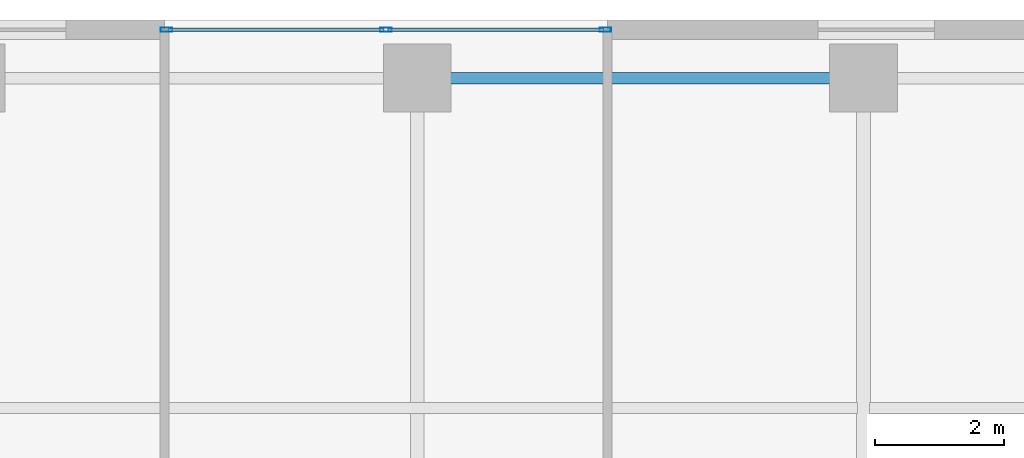
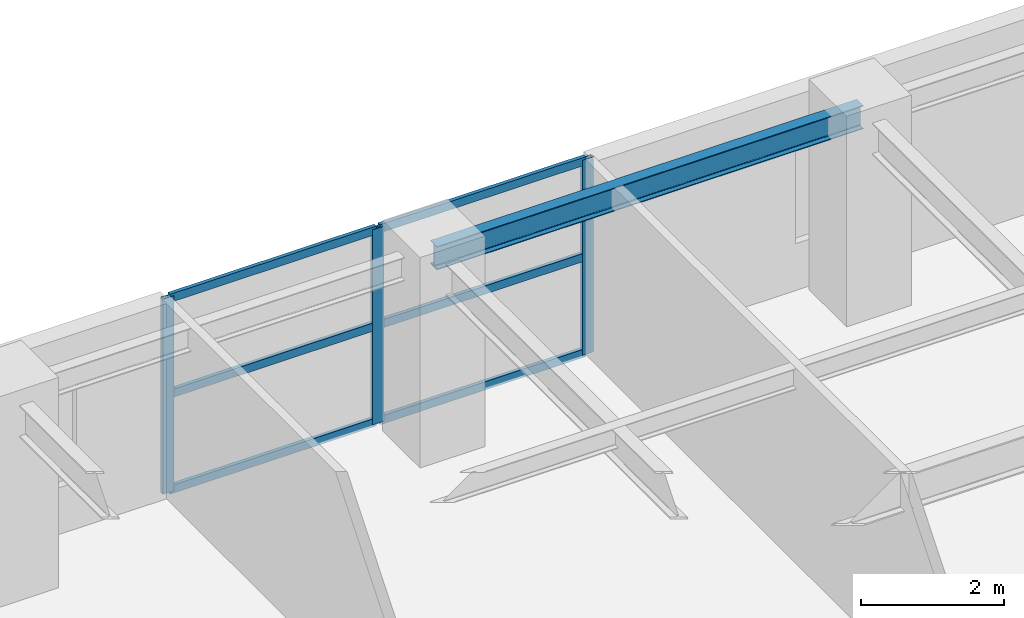
# One storey, part 12 of 18: 9 members, 1 beam, 1 element without a shape of its own.
"""IFC4 building model written with IfcOpenShell, lengths in metres."""

from ifc_helpers import new_model, si_unit, direction, frame, origin, origin_2d, place, context, subcontext, project, spatial, hollow_rectangle, i_section, extrude, source, transform, mapped, material, layer, layer_set, material_profile, profile_set, type_object, element, aggregate, save


model = new_model("IFC4")

# Units and contexts
model_context = context("Model", 3, precision=1e-05, world=origin(), true_north=direction((0.0, 1.0)))
body_context = subcontext(model_context, "Body", "Model", "MODEL_VIEW")
ifc_project = project(units=[si_unit("LENGTHUNIT", "METRE"), si_unit("AREAUNIT", "SQUARE_METRE"), si_unit("VOLUMEUNIT", "CUBIC_METRE"), si_unit("PLANEANGLEUNIT", "RADIAN"), si_unit("MASSUNIT", "GRAM", prefix="KILO")], contexts=[model_context])

# Site, building, storey
site_placement = place(None, origin())
site = spatial("IfcSite", under=ifc_project, at=site_placement, CompositionType="ELEMENT")
building_placement = place(site_placement, origin())
building = spatial("IfcBuilding", under=site, at=building_placement, Name="Khoralis Quay Care Tower", CompositionType="ELEMENT")
storey_placement = place(building_placement, frame((0.0, 0.0, 130.5)))
storey = spatial("IfcBuildingStorey", under=building, at=storey_placement, Name="L34", CompositionType="ELEMENT", Elevation=130.5)

# Beam
ifc_material_1 = material(Name="Steel S355", Category="steel")
ifc_material_profile_1 = material_profile(ifc_material_1, i_section(OverallWidth=0.179931640625, OverallDepth=0.39990234375, WebThickness=0.008544921875, FlangeThickness=0.013427734375, FilletRadius=0.02099609375, at=origin_2d()), Name="Steel S355")
ifc_profile_set_1 = profile_set([ifc_material_profile_1], Name="Steel S355")
beam_type = type_object("IfcBeamType", Name="BM-IPE400", PredefinedType="SPANDREL", material=ifc_profile_set_1)
shared_shape_1 = source(origin(), body_context, "Body", "SweptSolid", [
    extrude(i_section(OverallWidth=0.179931640625, OverallDepth=0.39990234375, WebThickness=0.008544921875, FlangeThickness=0.013427734375, FilletRadius=0.02099609375, at=origin_2d()), origin(), (0.0, 0.0, 1.0), 6.89990234375),
])
beam_placement = place(storey_placement, frame((24.0, 44.10009765625, 3.139892578125), z_axis=(1.0, 0.0, 0.0), x_axis=(0.0, 1.0, 0.0)))
element("IfcBeam", 1, at=beam_placement, inside=storey, type_object=beam_type, Name="BM-TSP-L34-09", PredefinedType="SPANDREL", context=body_context, shape_type="MappedRepresentation", body=[
    mapped(shared_shape_1, transform((0.0, 0.0, 0.0), scale=1.0)),
])

# Curtain wall, members
ifc_material_2 = material(Name="Pale anodised aluminium", Category="aluminium")
ifc_layer = layer(ifc_material_2, 0.169921875)
ifc_layer_set = layer_set([ifc_layer], Name="Pale anodised aluminium")
curtain_wall_type = type_object("IfcCurtainWallType", Name="CW-SYS-Z2", PredefinedType="NOTDEFINED", material=ifc_layer_set)
curtain_wall_placement = place(storey_placement, origin())
curtain_wall = element("IfcCurtainWall", 2, at=curtain_wall_placement, inside=storey, type_object=curtain_wall_type, Name="L34 Unitised Curtain Wall CW-L34-P1-E10", PredefinedType="NOTDEFINED")
ifc_material_profile_2 = material_profile(ifc_material_2, hollow_rectangle(XDim=0.06494140625, YDim=0.179931640625, WallThickness=0.00390625, at=origin_2d()), Name="Pale anodised aluminium")
ifc_profile_set_2 = profile_set([ifc_material_profile_2], Name="Pale anodised aluminium")
member_type_1 = type_object("IfcMemberType", Name="CW-MUL-180", PredefinedType="MULLION", material=ifc_profile_set_2)
shared_shape_2 = source(origin(), body_context, "Body", "SweptSolid", [
    extrude(hollow_rectangle(XDim=0.06494140625, YDim=0.179931640625, WallThickness=0.00390625, at=origin_2d()), origin(), (0.0, 0.0, 1.0), 3.340087890625),
])
member_1_placement = place(storey_placement, frame((26.909912109375, 44.85009765625, 0.0), z_axis=(0.0, 0.0, 1.0), x_axis=(0.0, -1.0, 0.0)))
member_1 = element("IfcMember", 3, at=member_1_placement, type_object=member_type_1, Name="CW2 mullion 1", PredefinedType="MULLION", context=body_context, shape_type="MappedRepresentation", body=[
    mapped(shared_shape_2, transform((0.0, 0.0, 0.0), scale=1.0)),
])
member_2_placement = place(storey_placement, frame((23.514892578125, 44.85009765625, 0.0), z_axis=(0.0, 0.0, 1.0), x_axis=(0.0, -1.0, 0.0)))
member_2 = element("IfcMember", 4, at=member_2_placement, type_object=member_type_1, Name="CW2 mullion 2", PredefinedType="MULLION", context=body_context, shape_type="MappedRepresentation", body=[
    mapped(shared_shape_2, transform((0.0, 0.0, 0.0), scale=1.0)),
])
member_3_placement = place(storey_placement, frame((20.1201171875, 44.85009765625, 0.0), z_axis=(0.0, 0.0, 1.0), x_axis=(0.0, -1.0, 0.0)))
member_3 = element("IfcMember", 5, at=member_3_placement, type_object=member_type_1, Name="CW2 mullion 3", PredefinedType="MULLION", context=body_context, shape_type="MappedRepresentation", body=[
    mapped(shared_shape_2, transform((0.0, 0.0, 0.0), scale=1.0)),
])
ifc_material_profile_3 = material_profile(ifc_material_2, hollow_rectangle(XDim=0.06005859375, YDim=0.139892578125, WallThickness=0.00390625, at=origin_2d()), Name="Pale anodised aluminium")
ifc_profile_set_3 = profile_set([ifc_material_profile_3], Name="Pale anodised aluminium")
member_type_2 = type_object("IfcMemberType", Name="CW-TRN-140", PredefinedType="USERDEFINED", material=ifc_profile_set_3)
shared_shape_3 = source(origin(), body_context, "Body", "SweptSolid", [
    extrude(hollow_rectangle(XDim=0.06005859375, YDim=0.139892578125, WallThickness=0.00390625, at=origin_2d()), origin(), (0.0, 0.0, 1.0), 3.3349609375),
])
member_4_placement = place(storey_placement, frame((26.8798828125, 44.85009765625, 0.030029296875), z_axis=(-1.0, 0.0, 0.0), x_axis=(0.0, -1.0, 0.0)))
member_4 = element("IfcMember", 6, at=member_4_placement, type_object=member_type_2, Name="CW2 transom 1.1", ObjectType="TRANSOM", PredefinedType="USERDEFINED", context=body_context, shape_type="MappedRepresentation", body=[
    mapped(shared_shape_3, transform((0.0, 0.0, 0.0), scale=1.0)),
])
member_5_placement = place(storey_placement, frame((26.8798828125, 44.85009765625, 1.669921875), z_axis=(-1.0, 0.0, 0.0), x_axis=(0.0, -1.0, 0.0)))
member_5 = element("IfcMember", 7, at=member_5_placement, type_object=member_type_2, Name="CW2 transom 1.2", ObjectType="TRANSOM", PredefinedType="USERDEFINED", context=body_context, shape_type="MappedRepresentation", body=[
    mapped(shared_shape_3, transform((0.0, 0.0, 0.0), scale=1.0)),
])
member_6_placement = place(storey_placement, frame((26.8798828125, 44.85009765625, 3.31005859375), z_axis=(-1.0, 0.0, 0.0), x_axis=(0.0, -1.0, 0.0)))
member_6 = element("IfcMember", 8, at=member_6_placement, type_object=member_type_2, Name="CW2 transom 1.3", ObjectType="TRANSOM", PredefinedType="USERDEFINED", context=body_context, shape_type="MappedRepresentation", body=[
    mapped(shared_shape_3, transform((0.0, 0.0, 0.0), scale=1.0)),
])
shared_shape_4 = source(origin(), body_context, "Body", "SweptSolid", [
    extrude(hollow_rectangle(XDim=0.06005859375, YDim=0.139892578125, WallThickness=0.00390625, at=origin_2d()), origin(), (0.0, 0.0, 1.0), 3.335205078125),
])
member_7_placement = place(storey_placement, frame((23.485107421875, 44.85009765625, 0.030029296875), z_axis=(-1.0, 0.0, 0.0), x_axis=(0.0, -1.0, 0.0)))
member_7 = element("IfcMember", 9, at=member_7_placement, type_object=member_type_2, Name="CW2 transom 2.1", ObjectType="TRANSOM", PredefinedType="USERDEFINED", context=body_context, shape_type="MappedRepresentation", body=[
    mapped(shared_shape_4, transform((0.0, 0.0, 0.0), scale=1.0)),
])
member_8_placement = place(storey_placement, frame((23.485107421875, 44.85009765625, 1.669921875), z_axis=(-1.0, 0.0, 0.0), x_axis=(0.0, -1.0, 0.0)))
member_8 = element("IfcMember", 10, at=member_8_placement, type_object=member_type_2, Name="CW2 transom 2.2", ObjectType="TRANSOM", PredefinedType="USERDEFINED", context=body_context, shape_type="MappedRepresentation", body=[
    mapped(shared_shape_4, transform((0.0, 0.0, 0.0), scale=1.0)),
])
member_9_placement = place(storey_placement, frame((23.485107421875, 44.85009765625, 3.31005859375), z_axis=(-1.0, 0.0, 0.0), x_axis=(0.0, -1.0, 0.0)))
member_9 = element("IfcMember", 11, at=member_9_placement, type_object=member_type_2, Name="CW2 transom 2.3", ObjectType="TRANSOM", PredefinedType="USERDEFINED", context=body_context, shape_type="MappedRepresentation", body=[
    mapped(shared_shape_4, transform((0.0, 0.0, 0.0), scale=1.0)),
])
aggregate(curtain_wall, [member_1, member_2, member_3, member_4, member_5, member_6, member_7, member_8, member_9])

save(model, "model.ifc")
